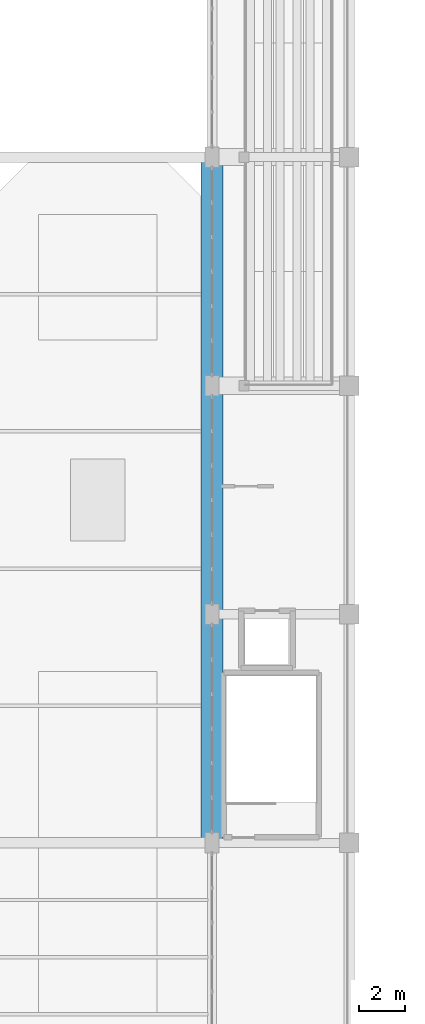
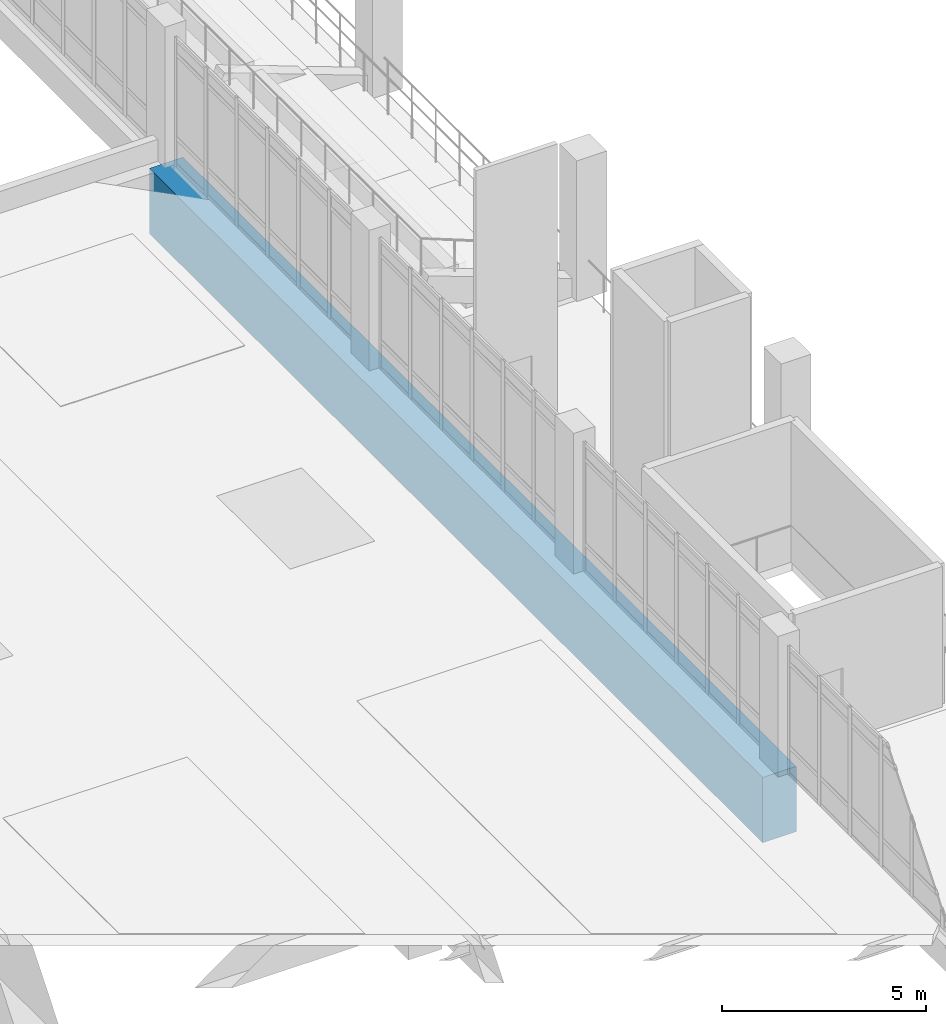
# One storey, part 54 of 161: 1 beam.
"""IFC4 building model written with IfcOpenShell, lengths in metres."""

from ifc_helpers import new_model, si_unit, direction, frame, origin, origin_2d, place, context, subcontext, project, spatial, rectangle, extrude, material, material_profile, profile_set, type_object, element, save


model = new_model("IFC4")

# Units and contexts
model_context = context("Model", 3, precision=1e-05, world=origin(), true_north=direction((0.0, 1.0)))
body_context = subcontext(model_context, "Body", "Model", "MODEL_VIEW")
ifc_project = project(units=[si_unit("LENGTHUNIT", "METRE"), si_unit("AREAUNIT", "SQUARE_METRE"), si_unit("VOLUMEUNIT", "CUBIC_METRE"), si_unit("PLANEANGLEUNIT", "RADIAN"), si_unit("MASSUNIT", "GRAM", prefix="KILO")], contexts=[model_context])

# Site, building, storey
site_placement = place(None, origin())
site = spatial("IfcSite", under=ifc_project, at=site_placement, CompositionType="ELEMENT")
building_placement = place(site_placement, origin())
building = spatial("IfcBuilding", under=site, at=building_placement, Name="Mersad Railyard Sports Hall", CompositionType="ELEMENT")
storey_placement = place(building_placement, frame((0.0, 0.0, 4.800048828125)))
storey = spatial("IfcBuildingStorey", under=building, at=storey_placement, Name="L01", CompositionType="ELEMENT", Elevation=4.800048828125)

# Beam
ifc_material = material(Name="Post-tensioned concrete C50/60", Category="concrete")
ifc_material_profile = material_profile(ifc_material, rectangle(XDim=0.949951171875, YDim=1.949951171875, at=origin_2d()), Name="PT 950x1950")
ifc_profile_set = profile_set([ifc_material_profile], Name="Post-tensioned concrete C50/60")
beam_type = type_object("IfcBeamType", Name="STR-BM-TG03", PredefinedType="USERDEFINED", material=ifc_profile_set)
beam_placement = place(storey_placement, frame((131.0, 13.5, -1.195068359375), z_axis=(0.0, 1.0, 0.0), x_axis=(-1.0, 0.0, 0.0)))
element("IfcBeam", 1, at=beam_placement, inside=storey, type_object=beam_type, Name="Transfer girder TG03-0588", ObjectType="GIRDER", PredefinedType="USERDEFINED", context=body_context, shape_type="SweptSolid", body=[
    extrude(rectangle(XDim=0.949951171875, YDim=1.949951171875, at=origin_2d()), origin(), (0.0, 0.0, 1.0), 30.0),
])

save(model, "model.ifc")
